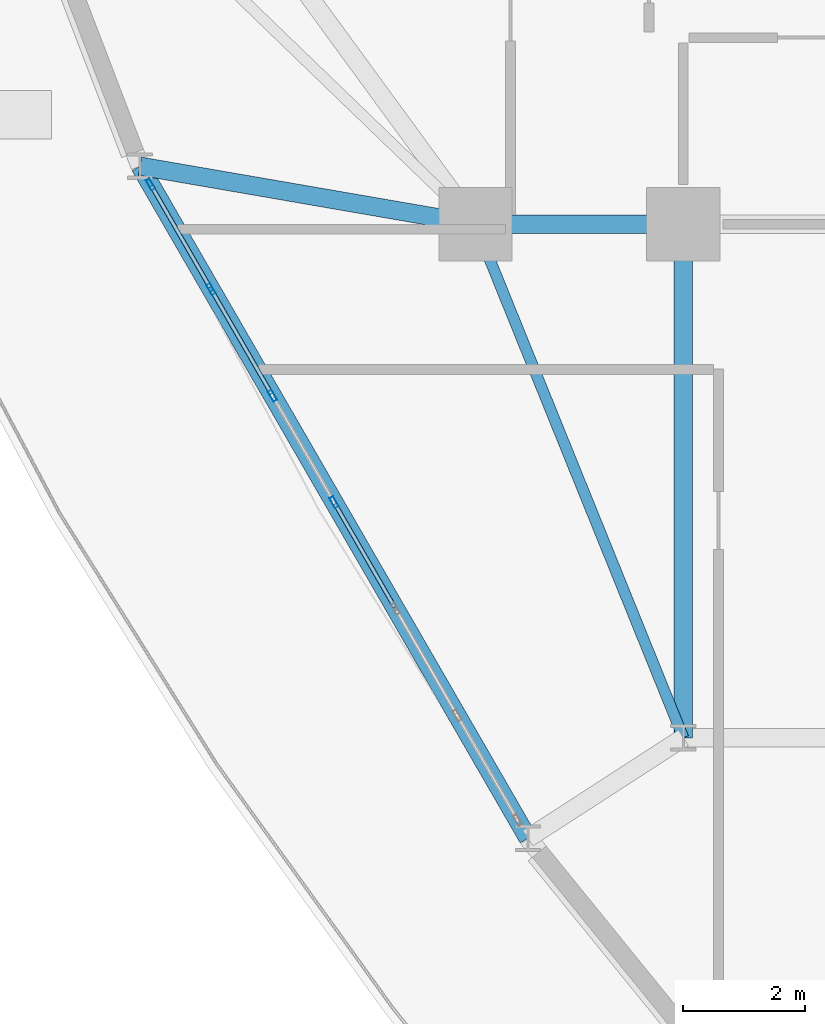
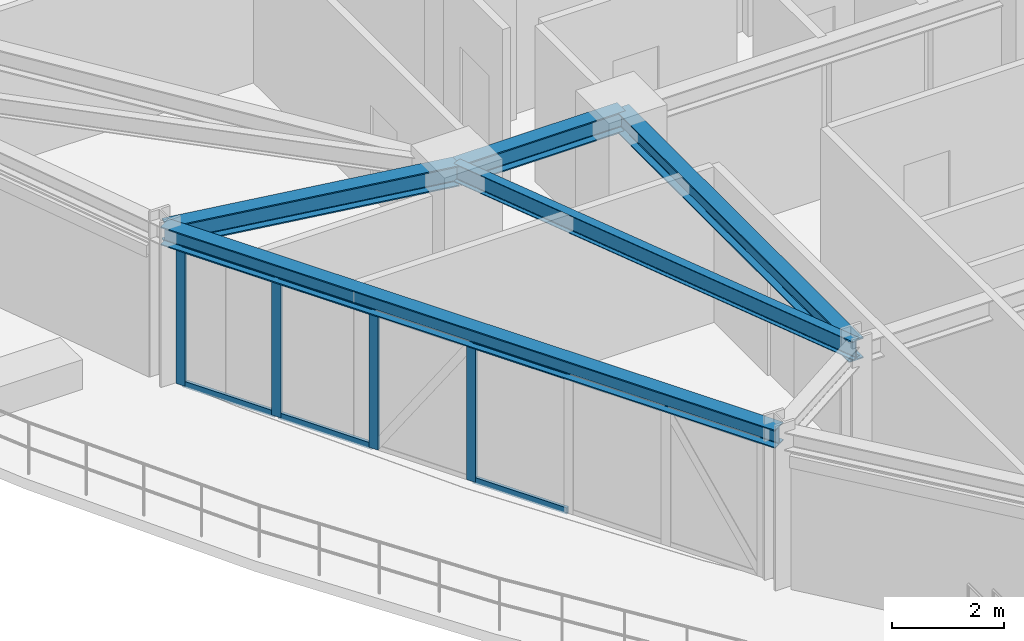
# One storey, part 5 of 18: 10 members, 5 beams, 1 element without a shape of its own.
"""IFC4 building model written with IfcOpenShell, lengths in metres."""

from ifc_helpers import new_model, si_unit, derived_unit, direction, frame, origin, origin_2d, place, context, subcontext, project, spatial, hollow_rectangle, i_section, extrude, source, transform, mapped, material, layer, layer_set, material_profile, profile_set, type_object, element, aggregate, save


model = new_model("IFC4")

# Units and contexts
model_context = context("Model", 3, precision=1e-05, world=origin(), true_north=direction((0.0, 1.0)))
body_context = subcontext(model_context, "Body", "Model", "MODEL_VIEW")
ifc_project = project(units=[si_unit("LENGTHUNIT", "METRE"), si_unit("AREAUNIT", "SQUARE_METRE"), si_unit("VOLUMEUNIT", "CUBIC_METRE"), si_unit("PLANEANGLEUNIT", "RADIAN"), si_unit("MASSUNIT", "GRAM", prefix="KILO"), derived_unit("THERMALTRANSMITTANCEUNIT", [(si_unit("POWERUNIT", "WATT"), 1), (si_unit("LENGTHUNIT", "METRE"), -2), (si_unit("THERMODYNAMICTEMPERATUREUNIT", "KELVIN"), -1)])], contexts=[model_context])

# Site, building, storey
site_placement = place(None, origin())
site = spatial("IfcSite", under=ifc_project, at=site_placement, CompositionType="ELEMENT")
building_placement = place(site_placement, origin())
building = spatial("IfcBuilding", under=site, at=building_placement, Name="Korsvarv Bourse and Concert Hall", CompositionType="ELEMENT")
storey_placement = place(building_placement, frame((0.0, 0.0, 168.60009765625)))
storey = spatial("IfcBuildingStorey", under=building, at=storey_placement, Name="L43", CompositionType="ELEMENT", Elevation=168.60009765625)

# Beams
ifc_material_1 = material(Name="Steel S355", Category="steel")
ifc_material_profile_1 = material_profile(ifc_material_1, i_section(OverallWidth=0.179931640625, OverallDepth=0.39990234375, WebThickness=0.008544921875, FlangeThickness=0.013427734375, FilletRadius=0.02099609375, at=origin_2d()), Name="IPE 400")
ifc_profile_set_1 = profile_set([ifc_material_profile_1], Name="Steel S355")
beam_type_1 = type_object("IfcBeamType", Name="BM-IPE400", PredefinedType="JOIST", material=ifc_profile_set_1)
shared_shape_1 = source(origin(), body_context, "Body", "SweptSolid", [
    extrude(i_section(OverallWidth=0.179931640625, OverallDepth=0.39990234375, WebThickness=0.008544921875, FlangeThickness=0.013427734375, FilletRadius=0.02099609375, at=origin_2d()), origin(), (0.0, 0.0, 1.0), 9.06201171875),
])
beam_1_placement = place(storey_placement, frame((24.199951171875, 32.39990234375, 3.199951171875), z_axis=(0.375210394783, -0.926939674222, 0.0), x_axis=(0.926939674222, 0.375210394783, 0.0)))
element("IfcBeam", 1, at=beam_1_placement, inside=storey, type_object=beam_type_1, Name="L43 beam J-05", PredefinedType="JOIST", context=body_context, shape_type="MappedRepresentation", body=[
    mapped(shared_shape_1, transform((0.0, 0.0, 0.0), scale=1.0)),
])
ifc_material_profile_2 = material_profile(ifc_material_1, i_section(OverallWidth=0.300048828125, OverallDepth=0.449951171875, WebThickness=0.013916015625, FlangeThickness=0.02587890625, FilletRadius=0.02099609375, at=origin_2d()), Name="HEB 450")
ifc_profile_set_2 = profile_set([ifc_material_profile_2], Name="Steel S355")
beam_type_2 = type_object("IfcBeamType", Name="BM-HEB450", PredefinedType="SPANDREL", material=ifc_profile_set_2)
shared_shape_2 = source(origin(), body_context, "Body", "SweptSolid", [
    extrude(i_section(OverallWidth=0.300048828125, OverallDepth=0.449951171875, WebThickness=0.013916015625, FlangeThickness=0.02587890625, FilletRadius=0.02099609375, at=origin_2d()), origin(), (0.0, 0.0, 1.0), 3.400146484375),
])
beam_2_placement = place(storey_placement, frame((24.199951171875, 32.39990234375, 3.1748046875), z_axis=(1.0, 0.0, 0.0), x_axis=(0.0, 1.0, 0.0)))
element("IfcBeam", 2, at=beam_2_placement, inside=storey, type_object=beam_type_2, Name="L43 beam B-08", PredefinedType="SPANDREL", context=body_context, shape_type="MappedRepresentation", body=[
    mapped(shared_shape_2, transform((0.0, 0.0, 0.0), scale=1.0)),
])
shared_shape_3 = source(origin(), body_context, "Body", "SweptSolid", [
    extrude(i_section(OverallWidth=0.300048828125, OverallDepth=0.449951171875, WebThickness=0.013916015625, FlangeThickness=0.02587890625, FilletRadius=0.02099609375, at=origin_2d()), origin(), (0.0, 0.0, 1.0), 8.39990234375),
])
beam_3_placement = place(storey_placement, frame((27.60009765625, 24.0, 3.1748046875), z_axis=(0.0, 1.0, 0.0), x_axis=(-1.0, 0.0, 0.0)))
element("IfcBeam", 3, at=beam_3_placement, inside=storey, type_object=beam_type_2, Name="L43 beam B-08", PredefinedType="SPANDREL", context=body_context, shape_type="MappedRepresentation", body=[
    mapped(shared_shape_3, transform((0.0, 0.0, 0.0), scale=1.0)),
])
ifc_material_profile_3 = material_profile(ifc_material_1, i_section(OverallWidth=0.300048828125, OverallDepth=0.39990234375, WebThickness=0.013427734375, FlangeThickness=0.02392578125, FilletRadius=0.02099609375, at=origin_2d()), Name="HEB 400")
ifc_profile_set_3 = profile_set([ifc_material_profile_3], Name="Steel S355")
beam_type_3 = type_object("IfcBeamType", Name="BM-HEB400", PredefinedType="SPANDREL", material=ifc_profile_set_3)
shared_shape_4 = source(origin(), body_context, "Body", "SweptSolid", [
    extrude(i_section(OverallWidth=0.300048828125, OverallDepth=0.39990234375, WebThickness=0.013427734375, FlangeThickness=0.02392578125, FilletRadius=0.02099609375, at=origin_2d()), origin(), (0.0, 0.0, 1.0), 12.692138671875),
])
beam_4_placement = place(storey_placement, frame((18.71435546875, 33.347900390625, 3.199951171875), z_axis=(0.499993308569, -0.866029267049, 0.0), x_axis=(0.866029267049, 0.499993308569, 0.0)))
element("IfcBeam", 4, at=beam_4_placement, inside=storey, type_object=beam_type_3, Name="L43 beam B-09", PredefinedType="SPANDREL", context=body_context, shape_type="MappedRepresentation", body=[
    mapped(shared_shape_4, transform((0.0, 0.0, 0.0), scale=1.0)),
])
shared_shape_5 = source(origin(), body_context, "Body", "SweptSolid", [
    extrude(i_section(OverallWidth=0.300048828125, OverallDepth=0.449951171875, WebThickness=0.013916015625, FlangeThickness=0.02587890625, FilletRadius=0.02099609375, at=origin_2d()), origin(), (0.0, 0.0, 1.0), 5.56689453125),
])
beam_5_placement = place(storey_placement, frame((18.71435546875, 33.347900390625, 3.1748046875), z_axis=(0.985393700019, -0.170291679077, 0.0), x_axis=(0.170291679077, 0.985393700019, 0.0)))
element("IfcBeam", 5, at=beam_5_placement, inside=storey, type_object=beam_type_2, Name="L43 beam B-08", PredefinedType="SPANDREL", context=body_context, shape_type="MappedRepresentation", body=[
    mapped(shared_shape_5, transform((0.0, 0.0, 0.0), scale=1.0)),
])

# Curtain wall, members
ifc_material_2 = material(Name="Anodised aluminium and triple low-E glazing", Category="glass")
ifc_layer = layer(ifc_material_2, 0.2099609375)
ifc_layer_set = layer_set([ifc_layer], Name="Anodised aluminium and triple low-E glazing")
curtain_wall_type = type_object("IfcCurtainWallType", Name="CW-SYS-2", PredefinedType="NOTDEFINED", material=ifc_layer_set)
curtain_wall_placement = place(storey_placement, origin())
curtain_wall = element("IfcCurtainWall", 6, at=curtain_wall_placement, inside=storey, type_object=curtain_wall_type, Name="L43 CW2 curtain wall CW-L43-F07", PredefinedType="NOTDEFINED")
ifc_material_3 = material(Name="Extruded aluminium EN AW-6063 T66", Category="aluminium")
ifc_material_profile_4 = material_profile(ifc_material_3, hollow_rectangle(XDim=0.070068359375, YDim=0.18994140625, WallThickness=0.0048828125, at=origin_2d()), Name="ALU-M 70x190")
ifc_profile_set_4 = profile_set([ifc_material_profile_4], Name="Extruded aluminium EN AW-6063 T66")
member_type_1 = type_object("IfcMemberType", Name="CWM-190", PredefinedType="MULLION", material=ifc_profile_set_4)
shared_shape_6 = source(origin(), body_context, "Body", "SweptSolid", [
    extrude(hollow_rectangle(XDim=0.070068359375, YDim=0.18994140625, WallThickness=0.0048828125, at=origin_2d()), origin(), (0.0, 0.0, 1.0), 3.0),
])
member_1_placement = place(storey_placement, frame((18.88623046875, 33.050048828125, 0.0), z_axis=(0.0, 0.0, 1.0), x_axis=(0.866022564355, 0.500004918003, 0.0)))
member_1 = element("IfcMember", 7, at=member_1_placement, type_object=member_type_1, Name="CW2 mullion 1", PredefinedType="MULLION", context=body_context, shape_type="MappedRepresentation", body=[
    mapped(shared_shape_6, transform((0.0, 0.0, 0.0), scale=1.0)),
])
member_2_placement = place(storey_placement, frame((19.875, 31.337646484375, 0.0), z_axis=(0.0, 0.0, 1.0), x_axis=(0.866022564355, 0.500004918003, 0.0)))
member_2 = element("IfcMember", 8, at=member_2_placement, type_object=member_type_1, Name="CW2 mullion 2", PredefinedType="MULLION", context=body_context, shape_type="MappedRepresentation", body=[
    mapped(shared_shape_6, transform((0.0, 0.0, 0.0), scale=1.0)),
])
member_3_placement = place(storey_placement, frame((20.881103515625, 29.594970703125, 0.0), z_axis=(0.0, 0.0, 1.0), x_axis=(0.866022564355, 0.500004918003, 0.0)))
member_3 = element("IfcMember", 9, at=member_3_placement, type_object=member_type_1, Name="CW2 mullion 3", PredefinedType="MULLION", context=body_context, shape_type="MappedRepresentation", body=[
    mapped(shared_shape_6, transform((0.0, 0.0, 0.0), scale=1.0)),
])
member_4_placement = place(storey_placement, frame((21.887451171875, 27.85205078125, 0.0), z_axis=(0.0, 0.0, 1.0), x_axis=(0.866022564355, 0.500004918003, 0.0)))
member_4 = element("IfcMember", 10, at=member_4_placement, type_object=member_type_1, Name="CW2 mullion 4", PredefinedType="MULLION", context=body_context, shape_type="MappedRepresentation", body=[
    mapped(shared_shape_6, transform((0.0, 0.0, 0.0), scale=1.0)),
])
ifc_material_profile_5 = material_profile(ifc_material_3, hollow_rectangle(XDim=0.06494140625, YDim=0.139892578125, WallThickness=0.00390625, at=origin_2d()), Name="ALU-T 65x140")
ifc_profile_set_5 = profile_set([ifc_material_profile_5], Name="Extruded aluminium EN AW-6063 T66")
member_type_2 = type_object("IfcMemberType", Name="CWT-140", PredefinedType="USERDEFINED", material=ifc_profile_set_5)
shared_shape_7 = source(origin(), body_context, "Body", "SweptSolid", [
    extrude(hollow_rectangle(XDim=0.06494140625, YDim=0.139892578125, WallThickness=0.00390625, at=origin_2d()), origin(), (0.0, 0.0, 1.0), 1.907470703125),
])
member_5_placement = place(storey_placement, frame((18.90380859375, 33.019775390625, 0.032470703125), z_axis=(0.499966215292, -0.866044908516, 0.0), x_axis=(0.866044908516, 0.499966215292, 0.0)))
member_5 = element("IfcMember", 11, at=member_5_placement, type_object=member_type_2, Name="CW2 transom 1.1", ObjectType="TRANSOM", PredefinedType="USERDEFINED", context=body_context, shape_type="MappedRepresentation", body=[
    mapped(shared_shape_7, transform((0.0, 0.0, 0.0), scale=1.0)),
])
member_6_placement = place(storey_placement, frame((18.90380859375, 33.019775390625, 2.96728515625), z_axis=(0.499966215292, -0.866044908516, 0.0), x_axis=(0.866044908516, 0.499966215292, 0.0)))
member_6 = element("IfcMember", 12, at=member_6_placement, type_object=member_type_2, Name="CW2 transom 1.2", ObjectType="TRANSOM", PredefinedType="USERDEFINED", context=body_context, shape_type="MappedRepresentation", body=[
    mapped(shared_shape_7, transform((0.0, 0.0, 0.0), scale=1.0)),
])
shared_shape_8 = source(origin(), body_context, "Body", "SweptSolid", [
    extrude(hollow_rectangle(XDim=0.06494140625, YDim=0.139892578125, WallThickness=0.00390625, at=origin_2d()), origin(), (0.0, 0.0, 1.0), 1.9423828125),
])
member_7_placement = place(storey_placement, frame((19.892578125, 31.307373046875, 0.032470703125), z_axis=(0.500005339912, -0.866022320763, 0.0), x_axis=(0.866022320763, 0.500005339912, 0.0)))
member_7 = element("IfcMember", 13, at=member_7_placement, type_object=member_type_2, Name="CW2 transom 2.1", ObjectType="TRANSOM", PredefinedType="USERDEFINED", context=body_context, shape_type="MappedRepresentation", body=[
    mapped(shared_shape_8, transform((0.0, 0.0, 0.0), scale=1.0)),
])
member_8_placement = place(storey_placement, frame((19.892578125, 31.307373046875, 2.96728515625), z_axis=(0.500005339912, -0.866022320763, 0.0), x_axis=(0.866022320763, 0.500005339912, 0.0)))
member_8 = element("IfcMember", 14, at=member_8_placement, type_object=member_type_2, Name="CW2 transom 2.2", ObjectType="TRANSOM", PredefinedType="USERDEFINED", context=body_context, shape_type="MappedRepresentation", body=[
    mapped(shared_shape_8, transform((0.0, 0.0, 0.0), scale=1.0)),
])
member_9_placement = place(storey_placement, frame((21.90478515625, 27.82177734375, 0.032470703125), z_axis=(0.500099599838, -0.865967892154, 0.0), x_axis=(0.865967892154, 0.500099599838, 0.0)))
member_9 = element("IfcMember", 15, at=member_9_placement, type_object=member_type_2, Name="CW2 transom 4.1", ObjectType="TRANSOM", PredefinedType="USERDEFINED", context=body_context, shape_type="MappedRepresentation", body=[
    mapped(shared_shape_8, transform((0.0, 0.0, 0.0), scale=1.0)),
])
member_10_placement = place(storey_placement, frame((21.90478515625, 27.82177734375, 2.96728515625), z_axis=(0.500099599838, -0.865967892154, 0.0), x_axis=(0.865967892154, 0.500099599838, 0.0)))
member_10 = element("IfcMember", 16, at=member_10_placement, type_object=member_type_2, Name="CW2 transom 4.2", ObjectType="TRANSOM", PredefinedType="USERDEFINED", context=body_context, shape_type="MappedRepresentation", body=[
    mapped(shared_shape_8, transform((0.0, 0.0, 0.0), scale=1.0)),
])
aggregate(curtain_wall, [member_1, member_2, member_3, member_4, member_5, member_6, member_7, member_8, member_9, member_10])

save(model, "model.ifc")
